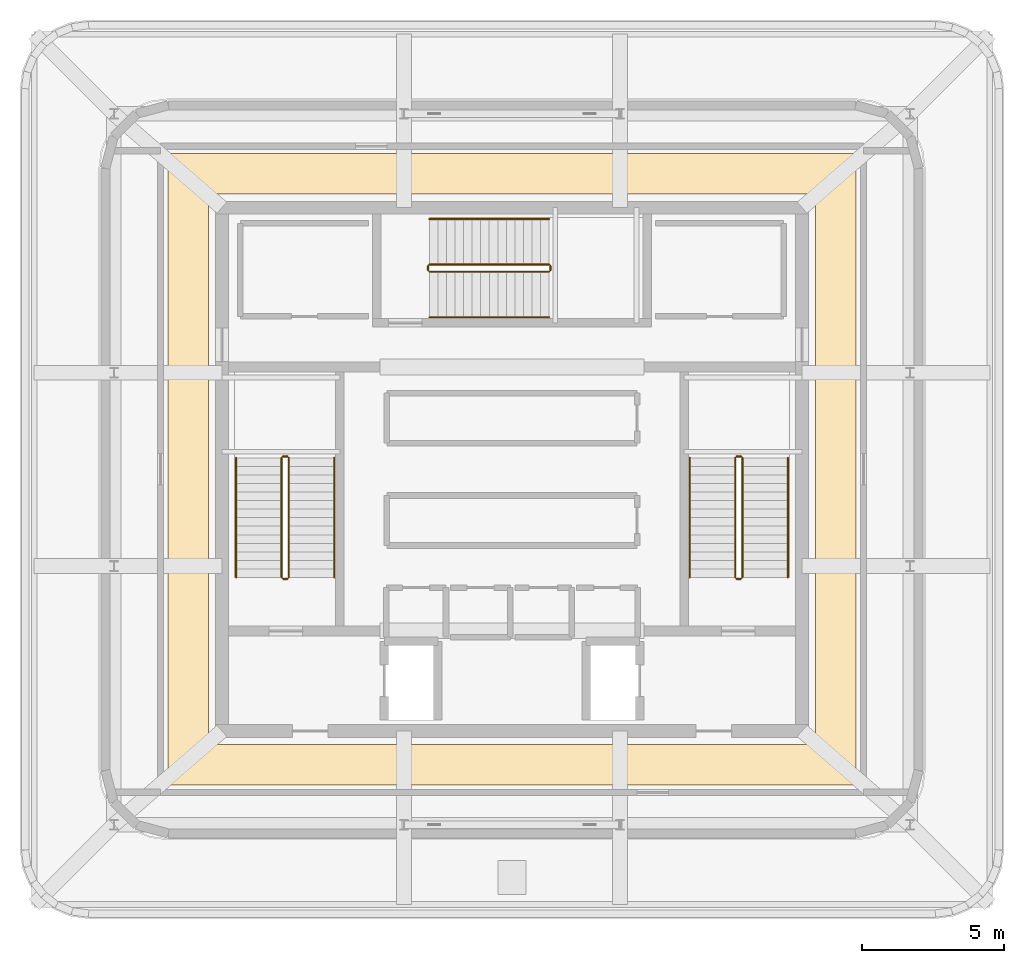
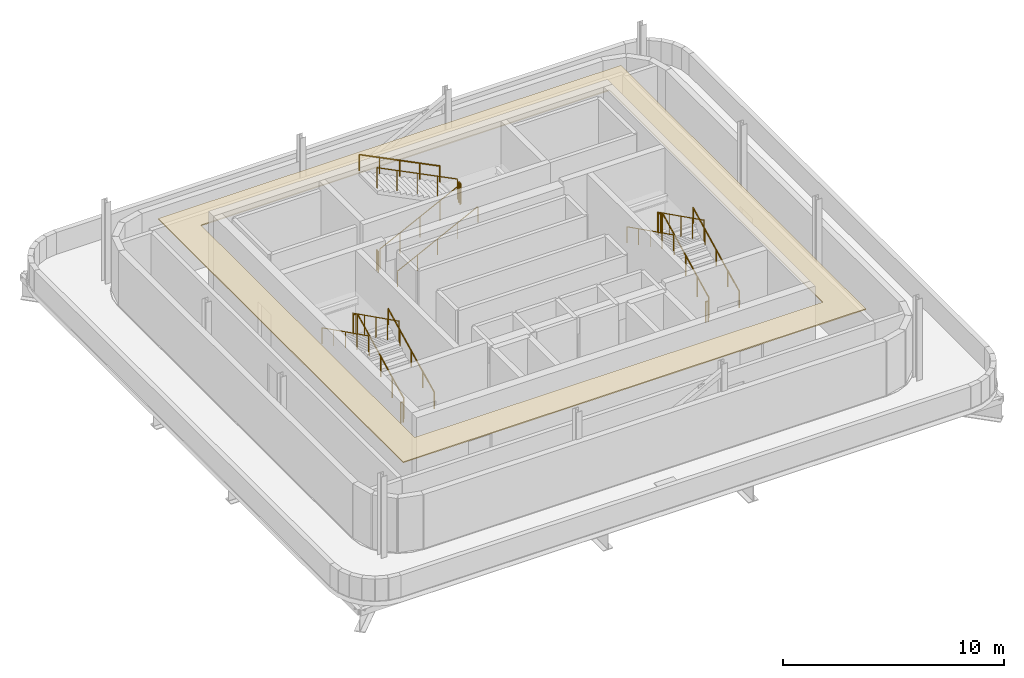
# One storey, part 5 of 5: 18 railings, 1 covering.
"""IFC4 building model written with IfcOpenShell, lengths in metres."""

import ifcopenshell
import ifcopenshell.guid

model = None  # the IFC model being written
_history = None  # IfcOwnerHistory: only IFC2X3 demands one
_inside = {}  # id of a spatial element -> (the spatial element, [elements in it])
_under = {}  # id of a project, library or spatial element -> (it, [spatial elements below it])
_declared = {}  # id of a project -> (the project, [libraries it declares])
_typed = {}  # id of a type object -> (the type object, [elements of that type])
_made_of = {}  # id of a material, layer set ... -> (it, [elements and type objects made of it])


def new_model(schema):
    """Start an empty IFC model of exactly this schema.

    Asked for "IFC4X3", IfcOpenShell would pick the latest addendum, in which some entities
    have other attributes; the version numbers below select the first issue.
    IFC2X3 requires an IfcOwnerHistory on every rooted entity: one is made here for all.
    """
    global model, _history
    if schema == "IFC4X3":
        model = ifcopenshell.file(schema_version=(4, 3, 0, 0))
    else:
        model = ifcopenshell.file(schema=schema)
    _inside.clear()
    _under.clear()
    _declared.clear()
    _typed.clear()
    _made_of.clear()
    _history = None
    if model.schema == "IFC2X3":
        org = make("IfcOrganization", Name="unknown")
        user = make(
            "IfcPersonAndOrganization",
            ThePerson=make("IfcPerson", FamilyName="unknown"),
            TheOrganization=org,
        )
        app = make(
            "IfcApplication",
            ApplicationDeveloper=org,
            Version="unknown",
            ApplicationFullName="unknown",
            ApplicationIdentifier="unknown",
        )
        _history = make(
            "IfcOwnerHistory",
            OwningUser=user,
            OwningApplication=app,
            ChangeAction="ADDED",
            CreationDate=0,
        )
    return model


def make(cls, **values):
    """One entity of the class cls with the attributes given. An attribute that is None is left unset."""
    return model.create_entity(
        cls, **{name: value for name, value in values.items() if value is not None}
    )


def rooted(cls, **values):
    """An entity with a GlobalId (a new one), such as an element, a storey or a relation."""
    return make(cls, GlobalId=ifcopenshell.guid.new(), OwnerHistory=_history, **values)


def si_unit(unit_type, name, prefix=None):
    """IfcSIUnit, for example si_unit("LENGTHUNIT", "METRE", prefix="MILLI")."""
    return make("IfcSIUnit", UnitType=unit_type, Prefix=prefix, Name=name)


def assignment(units):
    """IfcUnitAssignment: the units of a project."""
    return None if units is None else make("IfcUnitAssignment", Units=units)


def point(xyz):
    """IfcCartesianPoint."""
    return None if xyz is None else make("IfcCartesianPoint", Coordinates=xyz)


def direction(xyz):
    """IfcDirection."""
    return None if xyz is None else make("IfcDirection", DirectionRatios=xyz)


def frame(location, z_axis=None, x_axis=None):
    """IfcAxis2Placement3D, a coordinate frame: its origin and axes. An axis left out is left unset."""
    return make(
        "IfcAxis2Placement3D",
        Location=point(location),
        Axis=direction(z_axis),
        RefDirection=direction(x_axis),
    )


def frame_2d(location, x_axis=None):
    """IfcAxis2Placement2D, a coordinate frame in the plane: its origin and x axis."""
    return make(
        "IfcAxis2Placement2D", Location=point(location), RefDirection=direction(x_axis)
    )


def origin():
    """The frame at (0, 0, 0) with its axes left unset."""
    return frame((0.0, 0.0, 0.0))


def origin_2d():
    """The frame at (0, 0) in the plane with its x axis left unset."""
    return frame_2d((0.0, 0.0))


def place(relative_to, where):
    """IfcLocalPlacement: puts the frame where relative to a parent placement (None: the world)."""
    return make(
        "IfcLocalPlacement", PlacementRelTo=relative_to, RelativePlacement=where
    )


def context(
    kind, dimensions, precision=None, world=None, true_north=None, identifier=None
):
    """IfcGeometricRepresentationContext, for example the 3D "Model" context."""
    return make(
        "IfcGeometricRepresentationContext",
        ContextIdentifier=identifier,
        ContextType=kind,
        CoordinateSpaceDimension=dimensions,
        Precision=precision,
        WorldCoordinateSystem=world,
        TrueNorth=true_north,
    )


def subcontext(parent, identifier, kind, view, scale=None):
    """IfcGeometricRepresentationSubContext, for example "Body" below "Model"."""
    return make(
        "IfcGeometricRepresentationSubContext",
        ContextIdentifier=identifier,
        ContextType=kind,
        ParentContext=parent,
        TargetScale=scale,
        TargetView=view,
    )


def project(units=None, contexts=None):
    """IfcProject with its units and contexts."""
    return rooted(
        "IfcProject",
        Name="project",
        RepresentationContexts=contexts,
        UnitsInContext=assignment(units),
    )


def spatial(cls, under=None, at=None, **own):
    """A site, building, storey or space (cls), placed at a placement, below another one or the project."""
    s = rooted(cls, ObjectPlacement=at, **own)
    if under is not None:
        _under.setdefault(under.id(), (under, []))[1].append(s)
    return s


def polyline(points):
    """IfcPolyline through the points."""
    return make("IfcPolyline", Points=[point(p) for p in points])


def profile(cls, at=None, kind="AREA", **sizes):
    """A parametric profile (cls). Its sizes go by their IFC names, for example OverallWidth=200.0."""
    return make(cls, ProfileType=kind, Position=at, **sizes)


def circle(**sizes):
    """IfcCircleProfileDef."""
    return profile("IfcCircleProfileDef", **sizes)


def outline(outer, holes=None, kind="AREA"):
    """IfcArbitraryClosedProfileDef: a profile drawn as a closed curve; with holes, ...WithVoids."""
    if holes is None:
        return make("IfcArbitraryClosedProfileDef", ProfileType=kind, OuterCurve=outer)
    return make(
        "IfcArbitraryProfileDefWithVoids",
        ProfileType=kind,
        OuterCurve=outer,
        InnerCurves=holes,
    )


def extrude(swept, where, along, depth):
    """IfcExtrudedAreaSolid: the profile swept, set in the frame where, extruded along a direction by depth."""
    return make(
        "IfcExtrudedAreaSolid",
        SweptArea=swept,
        Position=where,
        ExtrudedDirection=direction(along),
        Depth=depth,
    )


def shape(context_of_items, identifier, shape_type, items):
    """IfcShapeRepresentation: the items that make up one representation, for example the "Body"."""
    return make(
        "IfcShapeRepresentation",
        ContextOfItems=context_of_items,
        RepresentationIdentifier=identifier,
        RepresentationType=shape_type,
        Items=items,
    )


def material(Name=None, Category=None):
    """IfcMaterial."""
    return make("IfcMaterial", Name=Name, Category=Category)


def layer(
    of_material, thickness, ventilated=None, Name=None, Category=None, Priority=None
):
    """IfcMaterialLayer: one layer of a wall or slab, of a material (None: an air gap)."""
    return make(
        "IfcMaterialLayer",
        Material=of_material,
        LayerThickness=thickness,
        IsVentilated=ventilated,
        Name=Name,
        Category=Category,
        Priority=Priority,
    )


def layer_set(layers, Name=None):
    """IfcMaterialLayerSet."""
    return make("IfcMaterialLayerSet", MaterialLayers=layers, LayerSetName=Name)


def made_of(thing, what):
    """Note that an element or type object is made of a material, layer set ...; save() writes the relation."""
    if what is not None:
        _made_of.setdefault(what.id(), (what, []))[1].append(thing)
    return thing


def type_object(cls, material=None, **own):
    """A type object (cls), such as IfcWallType, which elements share."""
    return made_of(rooted(cls, **own), material)


def element(
    cls,
    number,
    at=None,
    inside=None,
    cuts=None,
    type_object=None,
    material=None,
    context=None,
    identifier="Body",
    shape_type=None,
    held_by="IfcProductDefinitionShape",
    body=None,
    shapes=None,
    **own,
):
    """One element of the class cls, such as IfcWall. Its Tag is "e" and its number.

    at: its placement. inside: the storey or other place that contains it. cuts: it is an
    opening in that element (IfcRelVoidsElement). A single representation is given by context,
    identifier, shape_type and body (its items); several are given by shapes. held_by: the class
    of the entity that holds the representations. save() writes the other relations.
    """
    e = rooted(cls, Tag="e%d" % number, ObjectPlacement=at, **own)
    if body is not None:
        shapes = [shape(context, identifier, shape_type, body)]
    if shapes is not None:
        e.Representation = make(held_by, Representations=shapes)
    if inside is not None:
        _inside.setdefault(inside.id(), (inside, []))[1].append(e)
    if cuts is not None:
        rooted(
            "IfcRelVoidsElement", RelatingBuildingElement=cuts, RelatedOpeningElement=e
        )
    if type_object is not None:
        _typed.setdefault(type_object.id(), (type_object, []))[1].append(e)
    return made_of(e, material)


def aggregate(whole, parts):
    """IfcRelAggregates: a whole, such as a stair, and the parts it consists of."""
    return rooted("IfcRelAggregates", RelatingObject=whole, RelatedObjects=parts)


def save(model, path):
    """Write the relations noted so far, then the file.

    IfcRelAggregates (storeys below a building ...), IfcRelContainedInSpatialStructure (elements
    in a storey), IfcRelDefinesByType, IfcRelAssociatesMaterial and IfcRelDeclares: one each for
    every whole, place, type object, material and project.
    """
    for whole, parts in _under.values():
        aggregate(whole, parts)
    for where, things in _inside.values():
        rooted(
            "IfcRelContainedInSpatialStructure",
            RelatedElements=things,
            RelatingStructure=where,
        )
    for kind, things in _typed.values():
        rooted("IfcRelDefinesByType", RelatedObjects=things, RelatingType=kind)
    for what, things in _made_of.values():
        rooted("IfcRelAssociatesMaterial", RelatedObjects=things, RelatingMaterial=what)
    for by, libraries in _declared.values():
        rooted("IfcRelDeclares", RelatingContext=by, RelatedDefinitions=libraries)
    model.write(path)


model = new_model("IFC4")

# Units and contexts
model_context = context("Model", 3, precision=1e-05, world=origin(), true_north=direction((0.0, 1.0)))
body_context = subcontext(model_context, "Body", "Model", "MODEL_VIEW")
ifc_project = project(units=[si_unit("LENGTHUNIT", "METRE"), si_unit("AREAUNIT", "SQUARE_METRE"), si_unit("VOLUMEUNIT", "CUBIC_METRE"), si_unit("PLANEANGLEUNIT", "RADIAN"), si_unit("MASSUNIT", "GRAM", prefix="KILO")], contexts=[model_context])

# Site, building, storey
site_placement = place(None, origin())
site = spatial("IfcSite", under=ifc_project, at=site_placement, CompositionType="ELEMENT")
building_placement = place(site_placement, origin())
building = spatial("IfcBuilding", under=site, at=building_placement, Name="Punatoya Terracotta Tower", CompositionType="ELEMENT")
storey_placement = place(building_placement, frame((0.0, 0.0, 361.800048828125)))
storey = spatial("IfcBuildingStorey", under=building, at=storey_placement, Name="L85", CompositionType="ELEMENT", Elevation=361.800048828125)

# Covering
ifc_material_1 = material(Name="Acoustic Mineral Fibre Ceiling")
ifc_layer = layer(ifc_material_1, 0.06005859375)
ifc_layer_set = layer_set([ifc_layer], Name="Acoustic Mineral Fibre Ceiling")
covering_type = type_object("IfcCoveringType", Name="COV-CEIL-60", PredefinedType="CEILING", material=ifc_layer_set)
covering_placement = place(storey_placement, frame((0.0, 0.0, 3.60986328125)))
element("IfcCovering", 1, at=covering_placement, inside=storey, type_object=covering_type, Name="L85 Baradari Crown Plant Ring Corridor Acoustic Ceiling", PredefinedType="CEILING", context=body_context, shape_type="SweptSolid", body=[
    extrude(outline(polyline([(-12.10009765625, 11.10009765625), (-12.10009765625, -11.10009765625), (12.10009765625, -11.10009765625), (12.10009765625, 11.10009765625), (-12.10009765625, 11.10009765625)]), holes=[polyline([(-10.679931640625, 9.679931640625), (10.679931640625, 9.679931640625), (10.679931640625, -9.679931640625), (-10.679931640625, -9.679931640625), (-10.679931640625, 9.679931640625)])]), origin(), (0.0, 0.0, 1.0), 0.06005859375),
])

# Railings
ifc_material_2 = material(Name="Steel S355", Category="steel")
railing_type_1 = type_object("IfcRailingType", Name="RLG-GRD-1150", PredefinedType="GUARDRAIL", material=ifc_material_2)
railing_1_placement = place(storey_placement, frame((-7.85009765625, -3.800048828125, 0.14990234375)))
element("IfcRailing", 2, at=railing_1_placement, inside=storey, type_object=railing_type_1, Name="L85 ST-1 stair guard 1", PredefinedType="GUARDRAIL", context=body_context, shape_type="SweptSolid", body=[
    extrude(circle(Radius=0.02392578125, at=origin_2d()), frame((0.0, 0.0, 1.1259765625), z_axis=(0.0, 0.894416792377, 0.447234392142), x_axis=(-1.0, 0.0, 0.0)), (0.0, 0.0, 1.0), 4.69580078125),
    extrude(circle(Radius=0.02099609375, at=origin_2d()), origin(), (0.0, 0.0, 1.0), 1.101806640625),
    extrude(circle(Radius=0.02099609375, at=origin_2d()), frame((0.0, 1.050048828125, 0.52490234375)), (0.0, 0.0, 1.0), 1.101806640625),
    extrude(circle(Radius=0.02099609375, at=origin_2d()), frame((0.0, 2.10009765625, 1.050048828125)), (0.0, 0.0, 1.0), 1.101806640625),
    extrude(circle(Radius=0.02099609375, at=origin_2d()), frame((0.0, 3.14990234375, 1.5751953125)), (0.0, 0.0, 1.0), 1.101806640625),
    extrude(circle(Radius=0.02099609375, at=origin_2d()), frame((0.0, 4.199951171875, 2.10009765625)), (0.0, 0.0, 1.0), 1.101806640625),
])
railing_2_placement = place(storey_placement, frame((-7.89990234375, 0.449951171875, 2.25)))
element("IfcRailing", 3, at=railing_2_placement, inside=storey, type_object=railing_type_1, Name="L85 ST-1 stair guard 2", PredefinedType="GUARDRAIL", context=body_context, shape_type="SweptSolid", body=[
    extrude(circle(Radius=0.02392578125, at=origin_2d()), frame((0.0, 0.0, 1.1259765625), z_axis=(-1.0, 0.0, 0.0), x_axis=(0.0, -1.0, 0.0)), (0.0, 0.0, 1.0), 0.150146484375),
    extrude(circle(Radius=0.02099609375, at=origin_2d()), origin(), (0.0, 0.0, 1.0), 1.101806640625),
    extrude(circle(Radius=0.02099609375, at=origin_2d()), frame((-0.150146484375, 0.0, 0.0)), (0.0, 0.0, 1.0), 1.101806640625),
])
railing_3_placement = place(storey_placement, frame((-8.10009765625, 0.39990234375, 2.39990234375)))
element("IfcRailing", 4, at=railing_3_placement, inside=storey, type_object=railing_type_1, Name="L85 ST-1 stair guard 3", PredefinedType="GUARDRAIL", context=body_context, shape_type="SweptSolid", body=[
    extrude(circle(Radius=0.02392578125, at=origin_2d()), frame((0.0, 0.0, 1.1259765625), z_axis=(0.0, -0.894416792377, 0.447234392142), x_axis=(1.0, 0.0, 0.0)), (0.0, 0.0, 1.0), 4.69580078125),
    extrude(circle(Radius=0.02099609375, at=origin_2d()), origin(), (0.0, 0.0, 1.0), 1.101806640625),
    extrude(circle(Radius=0.02099609375, at=origin_2d()), frame((0.0, -1.050048828125, 0.52490234375)), (0.0, 0.0, 1.0), 1.101806640625),
    extrude(circle(Radius=0.02099609375, at=origin_2d()), frame((0.0, -2.10009765625, 1.050048828125)), (0.0, 0.0, 1.0), 1.101806640625),
    extrude(circle(Radius=0.02099609375, at=origin_2d()), frame((0.0, -3.14990234375, 1.5751953125)), (0.0, 0.0, 1.0), 1.101806640625),
    extrude(circle(Radius=0.02099609375, at=origin_2d()), frame((0.0, -4.199951171875, 2.10009765625)), (0.0, 0.0, 1.0), 1.101806640625),
])
railing_4_placement = place(storey_placement, frame((-7.89990234375, -3.85009765625, 0.0)))
element("IfcRailing", 5, at=railing_4_placement, inside=storey, type_object=railing_type_1, Name="L85 ST-1 stair guard 4", PredefinedType="GUARDRAIL", context=body_context, shape_type="SweptSolid", body=[
    extrude(circle(Radius=0.02392578125, at=origin_2d()), frame((0.0, 0.0, 1.1259765625), z_axis=(-1.0, 0.0, 0.0), x_axis=(0.0, -1.0, 0.0)), (0.0, 0.0, 1.0), 0.150146484375),
    extrude(circle(Radius=0.02099609375, at=origin_2d()), origin(), (0.0, 0.0, 1.0), 1.101806640625),
    extrude(circle(Radius=0.02099609375, at=origin_2d()), frame((-0.150146484375, 0.0, 0.0)), (0.0, 0.0, 1.0), 1.101806640625),
])
railing_5_placement = place(storey_placement, frame((8.10009765625, -3.800048828125, 0.14990234375)))
element("IfcRailing", 6, at=railing_5_placement, inside=storey, type_object=railing_type_1, Name="L85 ST-2 stair guard 1", PredefinedType="GUARDRAIL", context=body_context, shape_type="SweptSolid", body=[
    extrude(circle(Radius=0.02392578125, at=origin_2d()), frame((0.0, 0.0, 1.1259765625), z_axis=(0.0, 0.894416792377, 0.447234392142), x_axis=(-1.0, 0.0, 0.0)), (0.0, 0.0, 1.0), 4.69580078125),
    extrude(circle(Radius=0.02099609375, at=origin_2d()), origin(), (0.0, 0.0, 1.0), 1.101806640625),
    extrude(circle(Radius=0.02099609375, at=origin_2d()), frame((0.0, 1.050048828125, 0.52490234375)), (0.0, 0.0, 1.0), 1.101806640625),
    extrude(circle(Radius=0.02099609375, at=origin_2d()), frame((0.0, 2.10009765625, 1.050048828125)), (0.0, 0.0, 1.0), 1.101806640625),
    extrude(circle(Radius=0.02099609375, at=origin_2d()), frame((0.0, 3.14990234375, 1.5751953125)), (0.0, 0.0, 1.0), 1.101806640625),
    extrude(circle(Radius=0.02099609375, at=origin_2d()), frame((0.0, 4.199951171875, 2.10009765625)), (0.0, 0.0, 1.0), 1.101806640625),
])
railing_6_placement = place(storey_placement, frame((8.050048828125, 0.449951171875, 2.25)))
element("IfcRailing", 7, at=railing_6_placement, inside=storey, type_object=railing_type_1, Name="L85 ST-2 stair guard 2", PredefinedType="GUARDRAIL", context=body_context, shape_type="SweptSolid", body=[
    extrude(circle(Radius=0.02392578125, at=origin_2d()), frame((0.0, 0.0, 1.1259765625), z_axis=(-1.0, 0.0, 0.0), x_axis=(0.0, -1.0, 0.0)), (0.0, 0.0, 1.0), 0.150146484375),
    extrude(circle(Radius=0.02099609375, at=origin_2d()), origin(), (0.0, 0.0, 1.0), 1.101806640625),
    extrude(circle(Radius=0.02099609375, at=origin_2d()), frame((-0.150146484375, 0.0, 0.0)), (0.0, 0.0, 1.0), 1.101806640625),
])
railing_7_placement = place(storey_placement, frame((7.85009765625, 0.39990234375, 2.39990234375)))
element("IfcRailing", 8, at=railing_7_placement, inside=storey, type_object=railing_type_1, Name="L85 ST-2 stair guard 3", PredefinedType="GUARDRAIL", context=body_context, shape_type="SweptSolid", body=[
    extrude(circle(Radius=0.02392578125, at=origin_2d()), frame((0.0, 0.0, 1.1259765625), z_axis=(0.0, -0.894416792377, 0.447234392142), x_axis=(1.0, 0.0, 0.0)), (0.0, 0.0, 1.0), 4.69580078125),
    extrude(circle(Radius=0.02099609375, at=origin_2d()), origin(), (0.0, 0.0, 1.0), 1.101806640625),
    extrude(circle(Radius=0.02099609375, at=origin_2d()), frame((0.0, -1.050048828125, 0.52490234375)), (0.0, 0.0, 1.0), 1.101806640625),
    extrude(circle(Radius=0.02099609375, at=origin_2d()), frame((0.0, -2.10009765625, 1.050048828125)), (0.0, 0.0, 1.0), 1.101806640625),
    extrude(circle(Radius=0.02099609375, at=origin_2d()), frame((0.0, -3.14990234375, 1.5751953125)), (0.0, 0.0, 1.0), 1.101806640625),
    extrude(circle(Radius=0.02099609375, at=origin_2d()), frame((0.0, -4.199951171875, 2.10009765625)), (0.0, 0.0, 1.0), 1.101806640625),
])
railing_8_placement = place(storey_placement, frame((8.050048828125, -3.85009765625, 0.0)))
element("IfcRailing", 9, at=railing_8_placement, inside=storey, type_object=railing_type_1, Name="L85 ST-2 stair guard 4", PredefinedType="GUARDRAIL", context=body_context, shape_type="SweptSolid", body=[
    extrude(circle(Radius=0.02392578125, at=origin_2d()), frame((0.0, 0.0, 1.1259765625), z_axis=(-1.0, 0.0, 0.0), x_axis=(0.0, -1.0, 0.0)), (0.0, 0.0, 1.0), 0.150146484375),
    extrude(circle(Radius=0.02099609375, at=origin_2d()), origin(), (0.0, 0.0, 1.0), 1.101806640625),
    extrude(circle(Radius=0.02099609375, at=origin_2d()), frame((-0.150146484375, 0.0, 0.0)), (0.0, 0.0, 1.0), 1.101806640625),
])
railing_9_placement = place(storey_placement, frame((-2.89990234375, 6.949951171875, 0.14990234375)))
element("IfcRailing", 10, at=railing_9_placement, inside=storey, type_object=railing_type_1, Name="L85 ST-3 stair guard 1", PredefinedType="GUARDRAIL", context=body_context, shape_type="SweptSolid", body=[
    extrude(circle(Radius=0.02392578125, at=origin_2d()), frame((0.0, 0.0, 1.1259765625), z_axis=(0.894416792377, 0.0, 0.447234392142), x_axis=(0.0, 1.0, 0.0)), (0.0, 0.0, 1.0), 4.69580078125),
    extrude(circle(Radius=0.02099609375, at=origin_2d()), origin(), (0.0, 0.0, 1.0), 1.101806640625),
    extrude(circle(Radius=0.02099609375, at=origin_2d()), frame((1.050048828125, 0.0, 0.52490234375)), (0.0, 0.0, 1.0), 1.101806640625),
    extrude(circle(Radius=0.02099609375, at=origin_2d()), frame((2.10009765625, 0.0, 1.050048828125)), (0.0, 0.0, 1.0), 1.101806640625),
    extrude(circle(Radius=0.02099609375, at=origin_2d()), frame((3.14990234375, 0.0, 1.5751953125)), (0.0, 0.0, 1.0), 1.101806640625),
    extrude(circle(Radius=0.02099609375, at=origin_2d()), frame((4.199951171875, 0.0, 2.10009765625)), (0.0, 0.0, 1.0), 1.101806640625),
])
railing_10_placement = place(storey_placement, frame((1.35009765625, 7.0, 2.25)))
element("IfcRailing", 11, at=railing_10_placement, inside=storey, type_object=railing_type_1, Name="L85 ST-3 stair guard 2", PredefinedType="GUARDRAIL", context=body_context, shape_type="SweptSolid", body=[
    extrude(circle(Radius=0.02392578125, at=origin_2d()), frame((0.0, 0.0, 1.1259765625), z_axis=(0.0, 1.0, 0.0), x_axis=(-1.0, 0.0, 0.0)), (0.0, 0.0, 1.0), 0.14990234375),
    extrude(circle(Radius=0.02099609375, at=origin_2d()), origin(), (0.0, 0.0, 1.0), 1.101806640625),
    extrude(circle(Radius=0.02099609375, at=origin_2d()), frame((0.0, 0.14990234375, 0.0)), (0.0, 0.0, 1.0), 1.101806640625),
])
railing_11_placement = place(storey_placement, frame((1.300048828125, 7.199951171875, 2.39990234375)))
element("IfcRailing", 12, at=railing_11_placement, inside=storey, type_object=railing_type_1, Name="L85 ST-3 stair guard 3", PredefinedType="GUARDRAIL", context=body_context, shape_type="SweptSolid", body=[
    extrude(circle(Radius=0.02392578125, at=origin_2d()), frame((0.0, 0.0, 1.1259765625), z_axis=(-0.894416792377, 0.0, 0.447234392142), x_axis=(0.0, -1.0, 0.0)), (0.0, 0.0, 1.0), 4.69580078125),
    extrude(circle(Radius=0.02099609375, at=origin_2d()), origin(), (0.0, 0.0, 1.0), 1.101806640625),
    extrude(circle(Radius=0.02099609375, at=origin_2d()), frame((-1.050048828125, 0.0, 0.52490234375)), (0.0, 0.0, 1.0), 1.101806640625),
    extrude(circle(Radius=0.02099609375, at=origin_2d()), frame((-2.10009765625, 0.0, 1.050048828125)), (0.0, 0.0, 1.0), 1.101806640625),
    extrude(circle(Radius=0.02099609375, at=origin_2d()), frame((-3.14990234375, 0.0, 1.5751953125)), (0.0, 0.0, 1.0), 1.101806640625),
    extrude(circle(Radius=0.02099609375, at=origin_2d()), frame((-4.199951171875, 0.0, 2.10009765625)), (0.0, 0.0, 1.0), 1.101806640625),
])
railing_12_placement = place(storey_placement, frame((-2.949951171875, 7.0, 0.0)))
element("IfcRailing", 13, at=railing_12_placement, inside=storey, type_object=railing_type_1, Name="L85 ST-3 stair guard 4", PredefinedType="GUARDRAIL", context=body_context, shape_type="SweptSolid", body=[
    extrude(circle(Radius=0.02392578125, at=origin_2d()), frame((0.0, 0.0, 1.1259765625), z_axis=(0.0, 1.0, 0.0), x_axis=(-1.0, 0.0, 0.0)), (0.0, 0.0, 1.0), 0.14990234375),
    extrude(circle(Radius=0.02099609375, at=origin_2d()), origin(), (0.0, 0.0, 1.0), 1.101806640625),
    extrude(circle(Radius=0.02099609375, at=origin_2d()), frame((0.0, 0.14990234375, 0.0)), (0.0, 0.0, 1.0), 1.101806640625),
])
railing_type_2 = type_object("IfcRailingType", Name="RLG-HND-900", PredefinedType="HANDRAIL", material=ifc_material_2)
railing_13_placement = place(storey_placement, frame((-6.25, -3.800048828125, 0.14990234375)))
element("IfcRailing", 14, at=railing_13_placement, inside=storey, type_object=railing_type_2, Name="L85 ST-1 stair handrail 1", PredefinedType="HANDRAIL", context=body_context, shape_type="SweptSolid", body=[
    extrude(circle(Radius=0.02392578125, at=origin_2d()), frame((0.0, 0.0, 0.8759765625), z_axis=(0.0, 0.894416792377, 0.447234392142), x_axis=(-1.0, 0.0, 0.0)), (0.0, 0.0, 1.0), 4.69580078125),
    extrude(circle(Radius=0.02099609375, at=origin_2d()), origin(), (0.0, 0.0, 1.0), 0.851806640625),
    extrude(circle(Radius=0.02099609375, at=origin_2d()), frame((0.0, 1.050048828125, 0.52490234375)), (0.0, 0.0, 1.0), 0.851806640625),
    extrude(circle(Radius=0.02099609375, at=origin_2d()), frame((0.0, 2.10009765625, 1.050048828125)), (0.0, 0.0, 1.0), 0.851806640625),
    extrude(circle(Radius=0.02099609375, at=origin_2d()), frame((0.0, 3.14990234375, 1.5751953125)), (0.0, 0.0, 1.0), 0.851806640625),
    extrude(circle(Radius=0.02099609375, at=origin_2d()), frame((0.0, 4.199951171875, 2.10009765625)), (0.0, 0.0, 1.0), 0.851806640625),
])
railing_14_placement = place(storey_placement, frame((-9.699951171875, 0.39990234375, 2.39990234375)))
element("IfcRailing", 15, at=railing_14_placement, inside=storey, type_object=railing_type_2, Name="L85 ST-1 stair handrail 2", PredefinedType="HANDRAIL", context=body_context, shape_type="SweptSolid", body=[
    extrude(circle(Radius=0.02392578125, at=origin_2d()), frame((0.0, 0.0, 0.8759765625), z_axis=(0.0, -0.894416792377, 0.447234392142), x_axis=(1.0, 0.0, 0.0)), (0.0, 0.0, 1.0), 4.69580078125),
    extrude(circle(Radius=0.02099609375, at=origin_2d()), origin(), (0.0, 0.0, 1.0), 0.851806640625),
    extrude(circle(Radius=0.02099609375, at=origin_2d()), frame((0.0, -1.050048828125, 0.52490234375)), (0.0, 0.0, 1.0), 0.851806640625),
    extrude(circle(Radius=0.02099609375, at=origin_2d()), frame((0.0, -2.10009765625, 1.050048828125)), (0.0, 0.0, 1.0), 0.851806640625),
    extrude(circle(Radius=0.02099609375, at=origin_2d()), frame((0.0, -3.14990234375, 1.5751953125)), (0.0, 0.0, 1.0), 0.851806640625),
    extrude(circle(Radius=0.02099609375, at=origin_2d()), frame((0.0, -4.199951171875, 2.10009765625)), (0.0, 0.0, 1.0), 0.851806640625),
])
railing_15_placement = place(storey_placement, frame((9.699951171875, -3.800048828125, 0.14990234375)))
element("IfcRailing", 16, at=railing_15_placement, inside=storey, type_object=railing_type_2, Name="L85 ST-2 stair handrail 1", PredefinedType="HANDRAIL", context=body_context, shape_type="SweptSolid", body=[
    extrude(circle(Radius=0.02392578125, at=origin_2d()), frame((0.0, 0.0, 0.8759765625), z_axis=(0.0, 0.894416792377, 0.447234392142), x_axis=(-1.0, 0.0, 0.0)), (0.0, 0.0, 1.0), 4.69580078125),
    extrude(circle(Radius=0.02099609375, at=origin_2d()), origin(), (0.0, 0.0, 1.0), 0.851806640625),
    extrude(circle(Radius=0.02099609375, at=origin_2d()), frame((0.0, 1.050048828125, 0.52490234375)), (0.0, 0.0, 1.0), 0.851806640625),
    extrude(circle(Radius=0.02099609375, at=origin_2d()), frame((0.0, 2.10009765625, 1.050048828125)), (0.0, 0.0, 1.0), 0.851806640625),
    extrude(circle(Radius=0.02099609375, at=origin_2d()), frame((0.0, 3.14990234375, 1.5751953125)), (0.0, 0.0, 1.0), 0.851806640625),
    extrude(circle(Radius=0.02099609375, at=origin_2d()), frame((0.0, 4.199951171875, 2.10009765625)), (0.0, 0.0, 1.0), 0.851806640625),
])
railing_16_placement = place(storey_placement, frame((6.25, 0.39990234375, 2.39990234375)))
element("IfcRailing", 17, at=railing_16_placement, inside=storey, type_object=railing_type_2, Name="L85 ST-2 stair handrail 2", PredefinedType="HANDRAIL", context=body_context, shape_type="SweptSolid", body=[
    extrude(circle(Radius=0.02392578125, at=origin_2d()), frame((0.0, 0.0, 0.8759765625), z_axis=(0.0, -0.894416792377, 0.447234392142), x_axis=(1.0, 0.0, 0.0)), (0.0, 0.0, 1.0), 4.69580078125),
    extrude(circle(Radius=0.02099609375, at=origin_2d()), origin(), (0.0, 0.0, 1.0), 0.851806640625),
    extrude(circle(Radius=0.02099609375, at=origin_2d()), frame((0.0, -1.050048828125, 0.52490234375)), (0.0, 0.0, 1.0), 0.851806640625),
    extrude(circle(Radius=0.02099609375, at=origin_2d()), frame((0.0, -2.10009765625, 1.050048828125)), (0.0, 0.0, 1.0), 0.851806640625),
    extrude(circle(Radius=0.02099609375, at=origin_2d()), frame((0.0, -3.14990234375, 1.5751953125)), (0.0, 0.0, 1.0), 0.851806640625),
    extrude(circle(Radius=0.02099609375, at=origin_2d()), frame((0.0, -4.199951171875, 2.10009765625)), (0.0, 0.0, 1.0), 0.851806640625),
])
railing_17_placement = place(storey_placement, frame((-2.89990234375, 5.35009765625, 0.14990234375)))
element("IfcRailing", 18, at=railing_17_placement, inside=storey, type_object=railing_type_2, Name="L85 ST-3 stair handrail 1", PredefinedType="HANDRAIL", context=body_context, shape_type="SweptSolid", body=[
    extrude(circle(Radius=0.02392578125, at=origin_2d()), frame((0.0, 0.0, 0.8759765625), z_axis=(0.894416792377, 0.0, 0.447234392142), x_axis=(0.0, 1.0, 0.0)), (0.0, 0.0, 1.0), 4.69580078125),
    extrude(circle(Radius=0.02099609375, at=origin_2d()), origin(), (0.0, 0.0, 1.0), 0.851806640625),
    extrude(circle(Radius=0.02099609375, at=origin_2d()), frame((1.050048828125, 0.0, 0.52490234375)), (0.0, 0.0, 1.0), 0.851806640625),
    extrude(circle(Radius=0.02099609375, at=origin_2d()), frame((2.10009765625, 0.0, 1.050048828125)), (0.0, 0.0, 1.0), 0.851806640625),
    extrude(circle(Radius=0.02099609375, at=origin_2d()), frame((3.14990234375, 0.0, 1.5751953125)), (0.0, 0.0, 1.0), 0.851806640625),
    extrude(circle(Radius=0.02099609375, at=origin_2d()), frame((4.199951171875, 0.0, 2.10009765625)), (0.0, 0.0, 1.0), 0.851806640625),
])
railing_18_placement = place(storey_placement, frame((1.300048828125, 8.800048828125, 2.39990234375)))
element("IfcRailing", 19, at=railing_18_placement, inside=storey, type_object=railing_type_2, Name="L85 ST-3 stair handrail 2", PredefinedType="HANDRAIL", context=body_context, shape_type="SweptSolid", body=[
    extrude(circle(Radius=0.02392578125, at=origin_2d()), frame((0.0, 0.0, 0.8759765625), z_axis=(-0.894416792377, 0.0, 0.447234392142), x_axis=(0.0, -1.0, 0.0)), (0.0, 0.0, 1.0), 4.69580078125),
    extrude(circle(Radius=0.02099609375, at=origin_2d()), origin(), (0.0, 0.0, 1.0), 0.851806640625),
    extrude(circle(Radius=0.02099609375, at=origin_2d()), frame((-1.050048828125, 0.0, 0.52490234375)), (0.0, 0.0, 1.0), 0.851806640625),
    extrude(circle(Radius=0.02099609375, at=origin_2d()), frame((-2.10009765625, 0.0, 1.050048828125)), (0.0, 0.0, 1.0), 0.851806640625),
    extrude(circle(Radius=0.02099609375, at=origin_2d()), frame((-3.14990234375, 0.0, 1.5751953125)), (0.0, 0.0, 1.0), 0.851806640625),
    extrude(circle(Radius=0.02099609375, at=origin_2d()), frame((-4.199951171875, 0.0, 2.10009765625)), (0.0, 0.0, 1.0), 0.851806640625),
])

save(model, "model.ifc")
